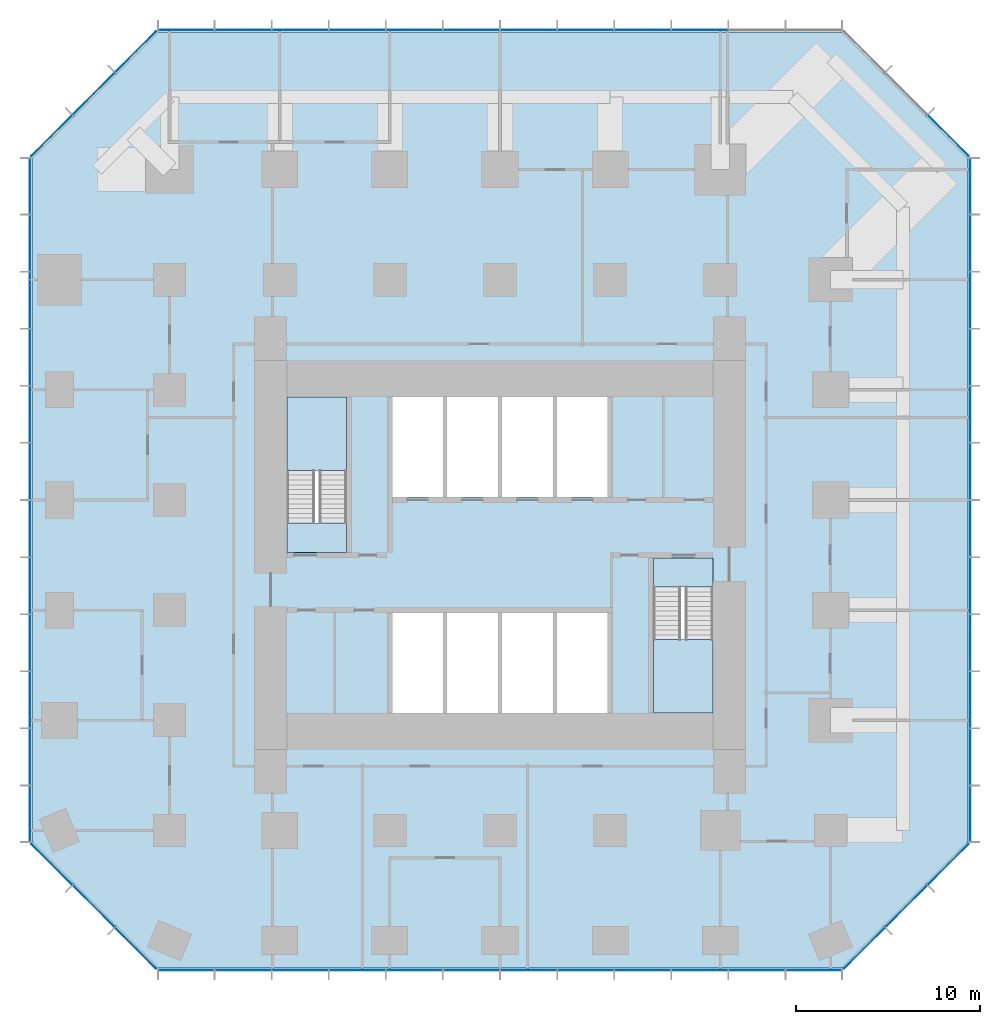
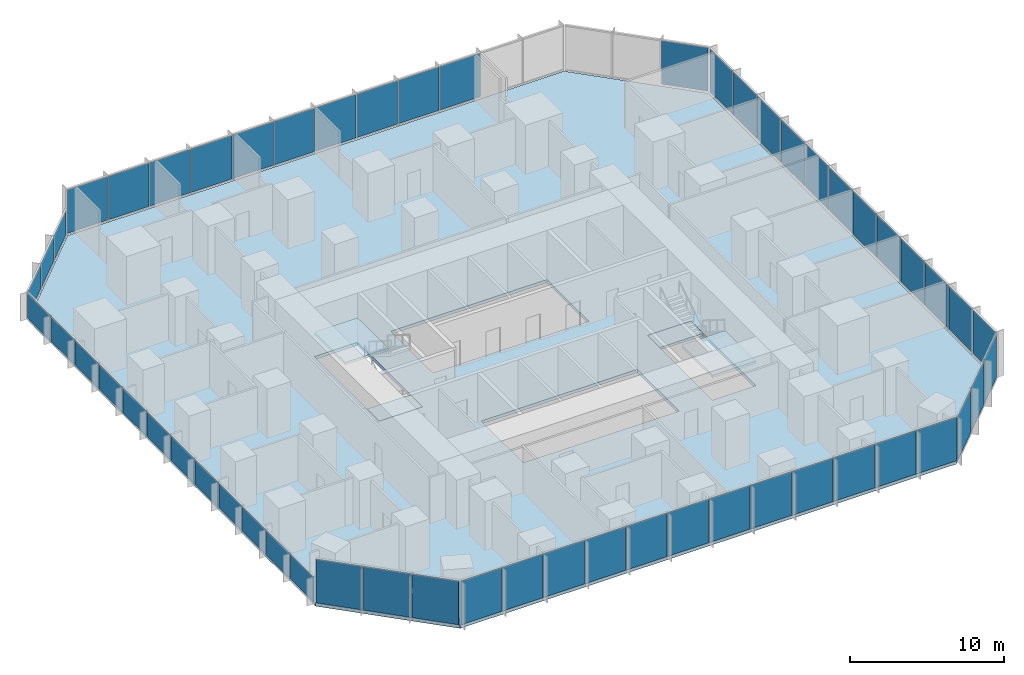
# One storey, part 8 of 13: 56 plates, 5 slabs, 10 elements without a shape of their own.
"""IFC4 building model written with IfcOpenShell, lengths in metres."""

import ifcopenshell
import ifcopenshell.guid

model = None  # the IFC model being written
_history = None  # IfcOwnerHistory: only IFC2X3 demands one
_inside = {}  # id of a spatial element -> (the spatial element, [elements in it])
_under = {}  # id of a project, library or spatial element -> (it, [spatial elements below it])
_declared = {}  # id of a project -> (the project, [libraries it declares])
_typed = {}  # id of a type object -> (the type object, [elements of that type])
_made_of = {}  # id of a material, layer set ... -> (it, [elements and type objects made of it])


def new_model(schema):
    """Start an empty IFC model of exactly this schema.

    Asked for "IFC4X3", IfcOpenShell would pick the latest addendum, in which some entities
    have other attributes; the version numbers below select the first issue.
    IFC2X3 requires an IfcOwnerHistory on every rooted entity: one is made here for all.
    """
    global model, _history
    if schema == "IFC4X3":
        model = ifcopenshell.file(schema_version=(4, 3, 0, 0))
    else:
        model = ifcopenshell.file(schema=schema)
    _inside.clear()
    _under.clear()
    _declared.clear()
    _typed.clear()
    _made_of.clear()
    _history = None
    if model.schema == "IFC2X3":
        org = make("IfcOrganization", Name="unknown")
        user = make(
            "IfcPersonAndOrganization",
            ThePerson=make("IfcPerson", FamilyName="unknown"),
            TheOrganization=org,
        )
        app = make(
            "IfcApplication",
            ApplicationDeveloper=org,
            Version="unknown",
            ApplicationFullName="unknown",
            ApplicationIdentifier="unknown",
        )
        _history = make(
            "IfcOwnerHistory",
            OwningUser=user,
            OwningApplication=app,
            ChangeAction="ADDED",
            CreationDate=0,
        )
    return model


def make(cls, **values):
    """One entity of the class cls with the attributes given. An attribute that is None is left unset."""
    return model.create_entity(
        cls, **{name: value for name, value in values.items() if value is not None}
    )


def rooted(cls, **values):
    """An entity with a GlobalId (a new one), such as an element, a storey or a relation."""
    return make(cls, GlobalId=ifcopenshell.guid.new(), OwnerHistory=_history, **values)


def si_unit(unit_type, name, prefix=None):
    """IfcSIUnit, for example si_unit("LENGTHUNIT", "METRE", prefix="MILLI")."""
    return make("IfcSIUnit", UnitType=unit_type, Prefix=prefix, Name=name)


def assignment(units):
    """IfcUnitAssignment: the units of a project."""
    return None if units is None else make("IfcUnitAssignment", Units=units)


def point(xyz):
    """IfcCartesianPoint."""
    return None if xyz is None else make("IfcCartesianPoint", Coordinates=xyz)


def direction(xyz):
    """IfcDirection."""
    return None if xyz is None else make("IfcDirection", DirectionRatios=xyz)


def frame(location, z_axis=None, x_axis=None):
    """IfcAxis2Placement3D, a coordinate frame: its origin and axes. An axis left out is left unset."""
    return make(
        "IfcAxis2Placement3D",
        Location=point(location),
        Axis=direction(z_axis),
        RefDirection=direction(x_axis),
    )


def frame_2d(location, x_axis=None):
    """IfcAxis2Placement2D, a coordinate frame in the plane: its origin and x axis."""
    return make(
        "IfcAxis2Placement2D", Location=point(location), RefDirection=direction(x_axis)
    )


def origin():
    """The frame at (0, 0, 0) with its axes left unset."""
    return frame((0.0, 0.0, 0.0))


def origin_2d():
    """The frame at (0, 0) in the plane with its x axis left unset."""
    return frame_2d((0.0, 0.0))


def place(relative_to, where):
    """IfcLocalPlacement: puts the frame where relative to a parent placement (None: the world)."""
    return make(
        "IfcLocalPlacement", PlacementRelTo=relative_to, RelativePlacement=where
    )


def context(
    kind, dimensions, precision=None, world=None, true_north=None, identifier=None
):
    """IfcGeometricRepresentationContext, for example the 3D "Model" context."""
    return make(
        "IfcGeometricRepresentationContext",
        ContextIdentifier=identifier,
        ContextType=kind,
        CoordinateSpaceDimension=dimensions,
        Precision=precision,
        WorldCoordinateSystem=world,
        TrueNorth=true_north,
    )


def subcontext(parent, identifier, kind, view, scale=None):
    """IfcGeometricRepresentationSubContext, for example "Body" below "Model"."""
    return make(
        "IfcGeometricRepresentationSubContext",
        ContextIdentifier=identifier,
        ContextType=kind,
        ParentContext=parent,
        TargetScale=scale,
        TargetView=view,
    )


def project(units=None, contexts=None):
    """IfcProject with its units and contexts."""
    return rooted(
        "IfcProject",
        Name="project",
        RepresentationContexts=contexts,
        UnitsInContext=assignment(units),
    )


def spatial(cls, under=None, at=None, **own):
    """A site, building, storey or space (cls), placed at a placement, below another one or the project."""
    s = rooted(cls, ObjectPlacement=at, **own)
    if under is not None:
        _under.setdefault(under.id(), (under, []))[1].append(s)
    return s


def polyline(points):
    """IfcPolyline through the points."""
    return make("IfcPolyline", Points=[point(p) for p in points])


def profile(cls, at=None, kind="AREA", **sizes):
    """A parametric profile (cls). Its sizes go by their IFC names, for example OverallWidth=200.0."""
    return make(cls, ProfileType=kind, Position=at, **sizes)


def rectangle(**sizes):
    """IfcRectangleProfileDef."""
    return profile("IfcRectangleProfileDef", **sizes)


def outline(outer, holes=None, kind="AREA"):
    """IfcArbitraryClosedProfileDef: a profile drawn as a closed curve; with holes, ...WithVoids."""
    if holes is None:
        return make("IfcArbitraryClosedProfileDef", ProfileType=kind, OuterCurve=outer)
    return make(
        "IfcArbitraryProfileDefWithVoids",
        ProfileType=kind,
        OuterCurve=outer,
        InnerCurves=holes,
    )


def extrude(swept, where, along, depth):
    """IfcExtrudedAreaSolid: the profile swept, set in the frame where, extruded along a direction by depth."""
    return make(
        "IfcExtrudedAreaSolid",
        SweptArea=swept,
        Position=where,
        ExtrudedDirection=direction(along),
        Depth=depth,
    )


def shape(context_of_items, identifier, shape_type, items):
    """IfcShapeRepresentation: the items that make up one representation, for example the "Body"."""
    return make(
        "IfcShapeRepresentation",
        ContextOfItems=context_of_items,
        RepresentationIdentifier=identifier,
        RepresentationType=shape_type,
        Items=items,
    )


def material(Name=None, Category=None):
    """IfcMaterial."""
    return make("IfcMaterial", Name=Name, Category=Category)


def layer(
    of_material, thickness, ventilated=None, Name=None, Category=None, Priority=None
):
    """IfcMaterialLayer: one layer of a wall or slab, of a material (None: an air gap)."""
    return make(
        "IfcMaterialLayer",
        Material=of_material,
        LayerThickness=thickness,
        IsVentilated=ventilated,
        Name=Name,
        Category=Category,
        Priority=Priority,
    )


def layer_set(layers, Name=None):
    """IfcMaterialLayerSet."""
    return make("IfcMaterialLayerSet", MaterialLayers=layers, LayerSetName=Name)


def made_of(thing, what):
    """Note that an element or type object is made of a material, layer set ...; save() writes the relation."""
    if what is not None:
        _made_of.setdefault(what.id(), (what, []))[1].append(thing)
    return thing


def type_object(cls, material=None, **own):
    """A type object (cls), such as IfcWallType, which elements share."""
    return made_of(rooted(cls, **own), material)


def element(
    cls,
    number,
    at=None,
    inside=None,
    cuts=None,
    type_object=None,
    material=None,
    context=None,
    identifier="Body",
    shape_type=None,
    held_by="IfcProductDefinitionShape",
    body=None,
    shapes=None,
    **own,
):
    """One element of the class cls, such as IfcWall. Its Tag is "e" and its number.

    at: its placement. inside: the storey or other place that contains it. cuts: it is an
    opening in that element (IfcRelVoidsElement). A single representation is given by context,
    identifier, shape_type and body (its items); several are given by shapes. held_by: the class
    of the entity that holds the representations. save() writes the other relations.
    """
    e = rooted(cls, Tag="e%d" % number, ObjectPlacement=at, **own)
    if body is not None:
        shapes = [shape(context, identifier, shape_type, body)]
    if shapes is not None:
        e.Representation = make(held_by, Representations=shapes)
    if inside is not None:
        _inside.setdefault(inside.id(), (inside, []))[1].append(e)
    if cuts is not None:
        rooted(
            "IfcRelVoidsElement", RelatingBuildingElement=cuts, RelatedOpeningElement=e
        )
    if type_object is not None:
        _typed.setdefault(type_object.id(), (type_object, []))[1].append(e)
    return made_of(e, material)


def aggregate(whole, parts):
    """IfcRelAggregates: a whole, such as a stair, and the parts it consists of."""
    return rooted("IfcRelAggregates", RelatingObject=whole, RelatedObjects=parts)


def save(model, path):
    """Write the relations noted so far, then the file.

    IfcRelAggregates (storeys below a building ...), IfcRelContainedInSpatialStructure (elements
    in a storey), IfcRelDefinesByType, IfcRelAssociatesMaterial and IfcRelDeclares: one each for
    every whole, place, type object, material and project.
    """
    for whole, parts in _under.values():
        aggregate(whole, parts)
    for where, things in _inside.values():
        rooted(
            "IfcRelContainedInSpatialStructure",
            RelatedElements=things,
            RelatingStructure=where,
        )
    for kind, things in _typed.values():
        rooted("IfcRelDefinesByType", RelatedObjects=things, RelatingType=kind)
    for what, things in _made_of.values():
        rooted("IfcRelAssociatesMaterial", RelatedObjects=things, RelatingMaterial=what)
    for by, libraries in _declared.values():
        rooted("IfcRelDeclares", RelatingContext=by, RelatedDefinitions=libraries)
    model.write(path)


model = new_model("IFC4")

# Units and contexts
model_context = context("Model", 3, precision=1e-05, world=origin(), true_north=direction((0.0, 1.0)))
body_context = subcontext(model_context, "Body", "Model", "MODEL_VIEW")
ifc_project = project(units=[si_unit("LENGTHUNIT", "METRE"), si_unit("AREAUNIT", "SQUARE_METRE"), si_unit("VOLUMEUNIT", "CUBIC_METRE"), si_unit("PLANEANGLEUNIT", "RADIAN"), si_unit("MASSUNIT", "GRAM", prefix="KILO")], contexts=[model_context])

# Site, building, storey
site_placement = place(None, origin())
site = spatial("IfcSite", under=ifc_project, at=site_placement, CompositionType="ELEMENT")
building_placement = place(site_placement, origin())
building = spatial("IfcBuilding", under=site, at=building_placement, Name="Highveld Stack Headquarters", CompositionType="ELEMENT")
storey_placement = place(building_placement, frame((0.0, 0.0, 84.5)))
storey = spatial("IfcBuildingStorey", under=building, at=storey_placement, Name="L20", CompositionType="ELEMENT", Elevation=84.5)

# Curtain wall, plates
ifc_material_1 = material(Name="Aluminium bronze anodised", Category="aluminium")
ifc_layer_1 = layer(ifc_material_1, 0.199951171875)
ifc_layer_set_1 = layer_set([ifc_layer_1], Name="Aluminium bronze anodised")
curtain_wall_type_1 = type_object("IfcCurtainWallType", Name="CW1 TOWER UNITISED CURTAIN WALL", PredefinedType="NOTDEFINED", material=ifc_layer_set_1)
curtain_wall_1_placement = place(storey_placement, origin())
curtain_wall_1 = element("IfcCurtainWall", 1, at=curtain_wall_1_placement, inside=storey, type_object=curtain_wall_type_1, Name="Curtain wall CW1 L20 S", PredefinedType="NOTDEFINED")
ifc_material_2 = material(Name="Glass bronze tinted double glazed unit", Category="glass")
ifc_layer_2 = layer(ifc_material_2, 0.028076171875)
ifc_layer_set_2 = layer_set([ifc_layer_2], Name="Glass bronze tinted double glazed unit")
plate_type_1 = type_object("IfcPlateType", Name="CW1 PANEL BRONZE TINTED DOUBLE GLAZED UNIT", PredefinedType="CURTAIN_PANEL", material=ifc_layer_set_2)
plate_1_placement = place(storey_placement, frame((-11.09130859375, -19.60009765625, 0.10009765625), z_axis=(0.0, 0.0, 1.0), x_axis=(1.0, 0.0, 0.0)))
plate_1 = element("IfcPlate", 2, at=plate_1_placement, type_object=plate_type_1, Name="CW1 panel L20 1.1", PredefinedType="CURTAIN_PANEL", context=body_context, shape_type="SweptSolid", body=[
    extrude(rectangle(XDim=3.012939453125, YDim=0.028076171875, at=origin_2d()), origin(), (0.0, 0.0, 1.0), 3.449951171875),
])
plate_2_placement = place(storey_placement, frame((-7.9970703125, -19.60009765625, 0.10009765625), z_axis=(0.0, 0.0, 1.0), x_axis=(1.0, 0.0, 0.0)))
plate_2 = element("IfcPlate", 3, at=plate_2_placement, type_object=plate_type_1, Name="CW1 panel L20 2.1", PredefinedType="CURTAIN_PANEL", context=body_context, shape_type="SweptSolid", body=[
    extrude(rectangle(XDim=3.04541015625, YDim=0.028076171875, at=origin_2d()), origin(), (0.0, 0.0, 1.0), 3.449951171875),
])
plate_3_placement = place(storey_placement, frame((-4.88671875, -19.60009765625, 0.10009765625), z_axis=(0.0, 0.0, 1.0), x_axis=(1.0, 0.0, 0.0)))
plate_3 = element("IfcPlate", 4, at=plate_3_placement, type_object=plate_type_1, Name="CW1 panel L20 3.1", PredefinedType="CURTAIN_PANEL", context=body_context, shape_type="SweptSolid", body=[
    extrude(rectangle(XDim=3.04541015625, YDim=0.028076171875, at=origin_2d()), origin(), (0.0, 0.0, 1.0), 3.449951171875),
])
plate_4_placement = place(storey_placement, frame((-1.776123046875, -19.60009765625, 0.10009765625), z_axis=(0.0, 0.0, 1.0), x_axis=(1.0, 0.0, 0.0)))
plate_4 = element("IfcPlate", 5, at=plate_4_placement, type_object=plate_type_1, Name="CW1 panel L20 4.1", PredefinedType="CURTAIN_PANEL", context=body_context, shape_type="SweptSolid", body=[
    extrude(rectangle(XDim=3.04541015625, YDim=0.028076171875, at=origin_2d()), origin(), (0.0, 0.0, 1.0), 3.449951171875),
])
plate_5_placement = place(storey_placement, frame((1.334228515625, -19.60009765625, 0.10009765625), z_axis=(0.0, 0.0, 1.0), x_axis=(1.0, 0.0, 0.0)))
plate_5 = element("IfcPlate", 6, at=plate_5_placement, type_object=plate_type_1, Name="CW1 panel L20 5.1", PredefinedType="CURTAIN_PANEL", context=body_context, shape_type="SweptSolid", body=[
    extrude(rectangle(XDim=3.04541015625, YDim=0.028076171875, at=origin_2d()), origin(), (0.0, 0.0, 1.0), 3.449951171875),
])
plate_6_placement = place(storey_placement, frame((4.44482421875, -19.60009765625, 0.10009765625), z_axis=(0.0, 0.0, 1.0), x_axis=(1.0, 0.0, 0.0)))
plate_6 = element("IfcPlate", 7, at=plate_6_placement, type_object=plate_type_1, Name="CW1 panel L20 6.1", PredefinedType="CURTAIN_PANEL", context=body_context, shape_type="SweptSolid", body=[
    extrude(rectangle(XDim=3.04541015625, YDim=0.028076171875, at=origin_2d()), origin(), (0.0, 0.0, 1.0), 3.449951171875),
])
plate_7_placement = place(storey_placement, frame((7.55517578125, -19.60009765625, 0.10009765625), z_axis=(0.0, 0.0, 1.0), x_axis=(1.0, 0.0, 0.0)))
plate_7 = element("IfcPlate", 8, at=plate_7_placement, type_object=plate_type_1, Name="CW1 panel L20 7.1", PredefinedType="CURTAIN_PANEL", context=body_context, shape_type="SweptSolid", body=[
    extrude(rectangle(XDim=3.04541015625, YDim=0.028076171875, at=origin_2d()), origin(), (0.0, 0.0, 1.0), 3.449951171875),
])
plate_8_placement = place(storey_placement, frame((10.665771484375, -19.60009765625, 0.10009765625), z_axis=(0.0, 0.0, 1.0), x_axis=(1.0, 0.0, 0.0)))
plate_8 = element("IfcPlate", 9, at=plate_8_placement, type_object=plate_type_1, Name="CW1 panel L20 8.1", PredefinedType="CURTAIN_PANEL", context=body_context, shape_type="SweptSolid", body=[
    extrude(rectangle(XDim=3.04541015625, YDim=0.028076171875, at=origin_2d()), origin(), (0.0, 0.0, 1.0), 3.449951171875),
])
plate_9_placement = place(storey_placement, frame((13.776123046875, -19.60009765625, 0.10009765625), z_axis=(0.0, 0.0, 1.0), x_axis=(1.0, 0.0, 0.0)))
plate_9 = element("IfcPlate", 10, at=plate_9_placement, type_object=plate_type_1, Name="CW1 panel L20 9.1", PredefinedType="CURTAIN_PANEL", context=body_context, shape_type="SweptSolid", body=[
    extrude(rectangle(XDim=3.04541015625, YDim=0.028076171875, at=origin_2d()), origin(), (0.0, 0.0, 1.0), 3.449951171875),
])
plate_10_placement = place(storey_placement, frame((16.88671875, -19.60009765625, 0.10009765625), z_axis=(0.0, 0.0, 1.0), x_axis=(1.0, 0.0, 0.0)))
plate_10 = element("IfcPlate", 11, at=plate_10_placement, type_object=plate_type_1, Name="CW1 panel L20 10.1", PredefinedType="CURTAIN_PANEL", context=body_context, shape_type="SweptSolid", body=[
    extrude(rectangle(XDim=3.04541015625, YDim=0.028076171875, at=origin_2d()), origin(), (0.0, 0.0, 1.0), 3.449951171875),
])
plate_11_placement = place(storey_placement, frame((19.9970703125, -19.60009765625, 0.10009765625), z_axis=(0.0, 0.0, 1.0), x_axis=(1.0, 0.0, 0.0)))
plate_11 = element("IfcPlate", 12, at=plate_11_placement, type_object=plate_type_1, Name="CW1 panel L20 11.1", PredefinedType="CURTAIN_PANEL", context=body_context, shape_type="SweptSolid", body=[
    extrude(rectangle(XDim=3.04541015625, YDim=0.028076171875, at=origin_2d()), origin(), (0.0, 0.0, 1.0), 3.449951171875),
])
plate_12_placement = place(storey_placement, frame((23.09130859375, -19.60009765625, 0.10009765625), z_axis=(0.0, 0.0, 1.0), x_axis=(1.0, 0.0, 0.0)))
plate_12 = element("IfcPlate", 13, at=plate_12_placement, type_object=plate_type_1, Name="CW1 panel L20 12.1", PredefinedType="CURTAIN_PANEL", context=body_context, shape_type="SweptSolid", body=[
    extrude(rectangle(XDim=3.012939453125, YDim=0.028076171875, at=origin_2d()), origin(), (0.0, 0.0, 1.0), 3.449951171875),
])
aggregate(curtain_wall_1, [plate_1, plate_2, plate_3, plate_4, plate_5, plate_6, plate_7, plate_8, plate_9, plate_10, plate_11, plate_12])

curtain_wall_2_placement = place(storey_placement, origin())
curtain_wall_2 = element("IfcCurtainWall", 14, at=curtain_wall_2_placement, inside=storey, type_object=curtain_wall_type_1, Name="Curtain wall CW1 L20 E", PredefinedType="NOTDEFINED")
plate_13_placement = place(storey_placement, frame((31.60009765625, -11.09130859375, 0.10009765625), z_axis=(0.0, 0.0, 1.0), x_axis=(0.0, 1.0, 0.0)))
plate_13 = element("IfcPlate", 15, at=plate_13_placement, type_object=plate_type_1, Name="CW1 panel L20 1.1", PredefinedType="CURTAIN_PANEL", context=body_context, shape_type="SweptSolid", body=[
    extrude(rectangle(XDim=3.012939453125, YDim=0.028076171875, at=origin_2d()), origin(), (0.0, 0.0, 1.0), 3.449951171875),
])
plate_14_placement = place(storey_placement, frame((31.60009765625, -7.9970703125, 0.10009765625), z_axis=(0.0, 0.0, 1.0), x_axis=(0.0, 1.0, 0.0)))
plate_14 = element("IfcPlate", 16, at=plate_14_placement, type_object=plate_type_1, Name="CW1 panel L20 2.1", PredefinedType="CURTAIN_PANEL", context=body_context, shape_type="SweptSolid", body=[
    extrude(rectangle(XDim=3.04541015625, YDim=0.028076171875, at=origin_2d()), origin(), (0.0, 0.0, 1.0), 3.449951171875),
])
plate_15_placement = place(storey_placement, frame((31.60009765625, -4.88671875, 0.10009765625), z_axis=(0.0, 0.0, 1.0), x_axis=(0.0, 1.0, 0.0)))
plate_15 = element("IfcPlate", 17, at=plate_15_placement, type_object=plate_type_1, Name="CW1 panel L20 3.1", PredefinedType="CURTAIN_PANEL", context=body_context, shape_type="SweptSolid", body=[
    extrude(rectangle(XDim=3.04541015625, YDim=0.028076171875, at=origin_2d()), origin(), (0.0, 0.0, 1.0), 3.449951171875),
])
plate_16_placement = place(storey_placement, frame((31.60009765625, -1.776123046875, 0.10009765625), z_axis=(0.0, 0.0, 1.0), x_axis=(0.0, 1.0, 0.0)))
plate_16 = element("IfcPlate", 18, at=plate_16_placement, type_object=plate_type_1, Name="CW1 panel L20 4.1", PredefinedType="CURTAIN_PANEL", context=body_context, shape_type="SweptSolid", body=[
    extrude(rectangle(XDim=3.04541015625, YDim=0.028076171875, at=origin_2d()), origin(), (0.0, 0.0, 1.0), 3.449951171875),
])
plate_17_placement = place(storey_placement, frame((31.60009765625, 1.334228515625, 0.10009765625), z_axis=(0.0, 0.0, 1.0), x_axis=(0.0, 1.0, 0.0)))
plate_17 = element("IfcPlate", 19, at=plate_17_placement, type_object=plate_type_1, Name="CW1 panel L20 5.1", PredefinedType="CURTAIN_PANEL", context=body_context, shape_type="SweptSolid", body=[
    extrude(rectangle(XDim=3.04541015625, YDim=0.028076171875, at=origin_2d()), origin(), (0.0, 0.0, 1.0), 3.449951171875),
])
plate_18_placement = place(storey_placement, frame((31.60009765625, 4.44482421875, 0.10009765625), z_axis=(0.0, 0.0, 1.0), x_axis=(0.0, 1.0, 0.0)))
plate_18 = element("IfcPlate", 20, at=plate_18_placement, type_object=plate_type_1, Name="CW1 panel L20 6.1", PredefinedType="CURTAIN_PANEL", context=body_context, shape_type="SweptSolid", body=[
    extrude(rectangle(XDim=3.04541015625, YDim=0.028076171875, at=origin_2d()), origin(), (0.0, 0.0, 1.0), 3.449951171875),
])
plate_19_placement = place(storey_placement, frame((31.60009765625, 7.55517578125, 0.10009765625), z_axis=(0.0, 0.0, 1.0), x_axis=(0.0, 1.0, 0.0)))
plate_19 = element("IfcPlate", 21, at=plate_19_placement, type_object=plate_type_1, Name="CW1 panel L20 7.1", PredefinedType="CURTAIN_PANEL", context=body_context, shape_type="SweptSolid", body=[
    extrude(rectangle(XDim=3.04541015625, YDim=0.028076171875, at=origin_2d()), origin(), (0.0, 0.0, 1.0), 3.449951171875),
])
plate_20_placement = place(storey_placement, frame((31.60009765625, 10.665771484375, 0.10009765625), z_axis=(0.0, 0.0, 1.0), x_axis=(0.0, 1.0, 0.0)))
plate_20 = element("IfcPlate", 22, at=plate_20_placement, type_object=plate_type_1, Name="CW1 panel L20 8.1", PredefinedType="CURTAIN_PANEL", context=body_context, shape_type="SweptSolid", body=[
    extrude(rectangle(XDim=3.04541015625, YDim=0.028076171875, at=origin_2d()), origin(), (0.0, 0.0, 1.0), 3.449951171875),
])
plate_21_placement = place(storey_placement, frame((31.60009765625, 13.776123046875, 0.10009765625), z_axis=(0.0, 0.0, 1.0), x_axis=(0.0, 1.0, 0.0)))
plate_21 = element("IfcPlate", 23, at=plate_21_placement, type_object=plate_type_1, Name="CW1 panel L20 9.1", PredefinedType="CURTAIN_PANEL", context=body_context, shape_type="SweptSolid", body=[
    extrude(rectangle(XDim=3.04541015625, YDim=0.028076171875, at=origin_2d()), origin(), (0.0, 0.0, 1.0), 3.449951171875),
])
plate_22_placement = place(storey_placement, frame((31.60009765625, 16.88671875, 0.10009765625), z_axis=(0.0, 0.0, 1.0), x_axis=(0.0, 1.0, 0.0)))
plate_22 = element("IfcPlate", 24, at=plate_22_placement, type_object=plate_type_1, Name="CW1 panel L20 10.1", PredefinedType="CURTAIN_PANEL", context=body_context, shape_type="SweptSolid", body=[
    extrude(rectangle(XDim=3.04541015625, YDim=0.028076171875, at=origin_2d()), origin(), (0.0, 0.0, 1.0), 3.449951171875),
])
plate_23_placement = place(storey_placement, frame((31.60009765625, 19.9970703125, 0.10009765625), z_axis=(0.0, 0.0, 1.0), x_axis=(0.0, 1.0, 0.0)))
plate_23 = element("IfcPlate", 25, at=plate_23_placement, type_object=plate_type_1, Name="CW1 panel L20 11.1", PredefinedType="CURTAIN_PANEL", context=body_context, shape_type="SweptSolid", body=[
    extrude(rectangle(XDim=3.04541015625, YDim=0.028076171875, at=origin_2d()), origin(), (0.0, 0.0, 1.0), 3.449951171875),
])
plate_24_placement = place(storey_placement, frame((31.60009765625, 23.09130859375, 0.10009765625), z_axis=(0.0, 0.0, 1.0), x_axis=(0.0, 1.0, 0.0)))
plate_24 = element("IfcPlate", 26, at=plate_24_placement, type_object=plate_type_1, Name="CW1 panel L20 12.1", PredefinedType="CURTAIN_PANEL", context=body_context, shape_type="SweptSolid", body=[
    extrude(rectangle(XDim=3.012939453125, YDim=0.028076171875, at=origin_2d()), origin(), (0.0, 0.0, 1.0), 3.449951171875),
])
aggregate(curtain_wall_2, [plate_13, plate_14, plate_15, plate_16, plate_17, plate_18, plate_19, plate_20, plate_21, plate_22, plate_23, plate_24])

curtain_wall_3_placement = place(storey_placement, origin())
curtain_wall_3 = element("IfcCurtainWall", 27, at=curtain_wall_3_placement, inside=storey, type_object=curtain_wall_type_1, Name="Curtain wall CW1 L20 N", PredefinedType="NOTDEFINED")
plate_25_placement = place(storey_placement, frame((16.88671875, 31.60009765625, 0.10009765625), z_axis=(0.0, 0.0, 1.0), x_axis=(-1.0, 0.0, 0.0)))
plate_25 = element("IfcPlate", 28, at=plate_25_placement, type_object=plate_type_1, Name="CW1 panel L20 3.1", PredefinedType="CURTAIN_PANEL", context=body_context, shape_type="SweptSolid", body=[
    extrude(rectangle(XDim=3.04541015625, YDim=0.028076171875, at=origin_2d()), origin(), (0.0, 0.0, 1.0), 3.449951171875),
])
plate_26_placement = place(storey_placement, frame((13.776123046875, 31.60009765625, 0.10009765625), z_axis=(0.0, 0.0, 1.0), x_axis=(-1.0, 0.0, 0.0)))
plate_26 = element("IfcPlate", 29, at=plate_26_placement, type_object=plate_type_1, Name="CW1 panel L20 4.1", PredefinedType="CURTAIN_PANEL", context=body_context, shape_type="SweptSolid", body=[
    extrude(rectangle(XDim=3.04541015625, YDim=0.028076171875, at=origin_2d()), origin(), (0.0, 0.0, 1.0), 3.449951171875),
])
plate_27_placement = place(storey_placement, frame((10.665771484375, 31.60009765625, 0.10009765625), z_axis=(0.0, 0.0, 1.0), x_axis=(-1.0, 0.0, 0.0)))
plate_27 = element("IfcPlate", 30, at=plate_27_placement, type_object=plate_type_1, Name="CW1 panel L20 5.1", PredefinedType="CURTAIN_PANEL", context=body_context, shape_type="SweptSolid", body=[
    extrude(rectangle(XDim=3.04541015625, YDim=0.028076171875, at=origin_2d()), origin(), (0.0, 0.0, 1.0), 3.449951171875),
])
plate_28_placement = place(storey_placement, frame((7.55517578125, 31.60009765625, 0.10009765625), z_axis=(0.0, 0.0, 1.0), x_axis=(-1.0, 0.0, 0.0)))
plate_28 = element("IfcPlate", 31, at=plate_28_placement, type_object=plate_type_1, Name="CW1 panel L20 6.1", PredefinedType="CURTAIN_PANEL", context=body_context, shape_type="SweptSolid", body=[
    extrude(rectangle(XDim=3.04541015625, YDim=0.028076171875, at=origin_2d()), origin(), (0.0, 0.0, 1.0), 3.449951171875),
])
plate_29_placement = place(storey_placement, frame((4.44482421875, 31.60009765625, 0.10009765625), z_axis=(0.0, 0.0, 1.0), x_axis=(-1.0, 0.0, 0.0)))
plate_29 = element("IfcPlate", 32, at=plate_29_placement, type_object=plate_type_1, Name="CW1 panel L20 7.1", PredefinedType="CURTAIN_PANEL", context=body_context, shape_type="SweptSolid", body=[
    extrude(rectangle(XDim=3.04541015625, YDim=0.028076171875, at=origin_2d()), origin(), (0.0, 0.0, 1.0), 3.449951171875),
])
plate_30_placement = place(storey_placement, frame((1.334228515625, 31.60009765625, 0.10009765625), z_axis=(0.0, 0.0, 1.0), x_axis=(-1.0, 0.0, 0.0)))
plate_30 = element("IfcPlate", 33, at=plate_30_placement, type_object=plate_type_1, Name="CW1 panel L20 8.1", PredefinedType="CURTAIN_PANEL", context=body_context, shape_type="SweptSolid", body=[
    extrude(rectangle(XDim=3.04541015625, YDim=0.028076171875, at=origin_2d()), origin(), (0.0, 0.0, 1.0), 3.449951171875),
])
plate_31_placement = place(storey_placement, frame((-1.776123046875, 31.60009765625, 0.10009765625), z_axis=(0.0, 0.0, 1.0), x_axis=(-1.0, 0.0, 0.0)))
plate_31 = element("IfcPlate", 34, at=plate_31_placement, type_object=plate_type_1, Name="CW1 panel L20 9.1", PredefinedType="CURTAIN_PANEL", context=body_context, shape_type="SweptSolid", body=[
    extrude(rectangle(XDim=3.04541015625, YDim=0.028076171875, at=origin_2d()), origin(), (0.0, 0.0, 1.0), 3.449951171875),
])
plate_32_placement = place(storey_placement, frame((-4.88671875, 31.60009765625, 0.10009765625), z_axis=(0.0, 0.0, 1.0), x_axis=(-1.0, 0.0, 0.0)))
plate_32 = element("IfcPlate", 35, at=plate_32_placement, type_object=plate_type_1, Name="CW1 panel L20 10.1", PredefinedType="CURTAIN_PANEL", context=body_context, shape_type="SweptSolid", body=[
    extrude(rectangle(XDim=3.04541015625, YDim=0.028076171875, at=origin_2d()), origin(), (0.0, 0.0, 1.0), 3.449951171875),
])
plate_33_placement = place(storey_placement, frame((-7.9970703125, 31.60009765625, 0.10009765625), z_axis=(0.0, 0.0, 1.0), x_axis=(-1.0, 0.0, 0.0)))
plate_33 = element("IfcPlate", 36, at=plate_33_placement, type_object=plate_type_1, Name="CW1 panel L20 11.1", PredefinedType="CURTAIN_PANEL", context=body_context, shape_type="SweptSolid", body=[
    extrude(rectangle(XDim=3.04541015625, YDim=0.028076171875, at=origin_2d()), origin(), (0.0, 0.0, 1.0), 3.449951171875),
])
plate_34_placement = place(storey_placement, frame((-11.09130859375, 31.60009765625, 0.10009765625), z_axis=(0.0, 0.0, 1.0), x_axis=(-1.0, 0.0, 0.0)))
plate_34 = element("IfcPlate", 37, at=plate_34_placement, type_object=plate_type_1, Name="CW1 panel L20 12.1", PredefinedType="CURTAIN_PANEL", context=body_context, shape_type="SweptSolid", body=[
    extrude(rectangle(XDim=3.012939453125, YDim=0.028076171875, at=origin_2d()), origin(), (0.0, 0.0, 1.0), 3.449951171875),
])
aggregate(curtain_wall_3, [plate_25, plate_26, plate_27, plate_28, plate_29, plate_30, plate_31, plate_32, plate_33, plate_34])

curtain_wall_4_placement = place(storey_placement, origin())
curtain_wall_4 = element("IfcCurtainWall", 38, at=curtain_wall_4_placement, inside=storey, type_object=curtain_wall_type_1, Name="Curtain wall CW1 L20 W", PredefinedType="NOTDEFINED")
plate_35_placement = place(storey_placement, frame((-19.60009765625, 23.09130859375, 0.10009765625), z_axis=(0.0, 0.0, 1.0), x_axis=(0.0, -1.0, 0.0)))
plate_35 = element("IfcPlate", 39, at=plate_35_placement, type_object=plate_type_1, Name="CW1 panel L20 1.1", PredefinedType="CURTAIN_PANEL", context=body_context, shape_type="SweptSolid", body=[
    extrude(rectangle(XDim=3.012939453125, YDim=0.028076171875, at=origin_2d()), origin(), (0.0, 0.0, 1.0), 1.949951171875),
])
plate_36_placement = place(storey_placement, frame((-19.60009765625, 19.9970703125, 0.10009765625), z_axis=(0.0, 0.0, 1.0), x_axis=(0.0, -1.0, 0.0)))
plate_36 = element("IfcPlate", 40, at=plate_36_placement, type_object=plate_type_1, Name="CW1 panel L20 2.1", PredefinedType="CURTAIN_PANEL", context=body_context, shape_type="SweptSolid", body=[
    extrude(rectangle(XDim=3.04541015625, YDim=0.028076171875, at=origin_2d()), origin(), (0.0, 0.0, 1.0), 1.949951171875),
])
plate_37_placement = place(storey_placement, frame((-19.60009765625, 16.88671875, 0.10009765625), z_axis=(0.0, 0.0, 1.0), x_axis=(0.0, -1.0, 0.0)))
plate_37 = element("IfcPlate", 41, at=plate_37_placement, type_object=plate_type_1, Name="CW1 panel L20 3.1", PredefinedType="CURTAIN_PANEL", context=body_context, shape_type="SweptSolid", body=[
    extrude(rectangle(XDim=3.04541015625, YDim=0.028076171875, at=origin_2d()), origin(), (0.0, 0.0, 1.0), 1.949951171875),
])
plate_38_placement = place(storey_placement, frame((-19.60009765625, 13.776123046875, 0.10009765625), z_axis=(0.0, 0.0, 1.0), x_axis=(0.0, -1.0, 0.0)))
plate_38 = element("IfcPlate", 42, at=plate_38_placement, type_object=plate_type_1, Name="CW1 panel L20 4.1", PredefinedType="CURTAIN_PANEL", context=body_context, shape_type="SweptSolid", body=[
    extrude(rectangle(XDim=3.04541015625, YDim=0.028076171875, at=origin_2d()), origin(), (0.0, 0.0, 1.0), 1.949951171875),
])
plate_39_placement = place(storey_placement, frame((-19.60009765625, 10.665771484375, 0.10009765625), z_axis=(0.0, 0.0, 1.0), x_axis=(0.0, -1.0, 0.0)))
plate_39 = element("IfcPlate", 43, at=plate_39_placement, type_object=plate_type_1, Name="CW1 panel L20 5.1", PredefinedType="CURTAIN_PANEL", context=body_context, shape_type="SweptSolid", body=[
    extrude(rectangle(XDim=3.04541015625, YDim=0.028076171875, at=origin_2d()), origin(), (0.0, 0.0, 1.0), 1.949951171875),
])
plate_40_placement = place(storey_placement, frame((-19.60009765625, 7.55517578125, 0.10009765625), z_axis=(0.0, 0.0, 1.0), x_axis=(0.0, -1.0, 0.0)))
plate_40 = element("IfcPlate", 44, at=plate_40_placement, type_object=plate_type_1, Name="CW1 panel L20 6.1", PredefinedType="CURTAIN_PANEL", context=body_context, shape_type="SweptSolid", body=[
    extrude(rectangle(XDim=3.04541015625, YDim=0.028076171875, at=origin_2d()), origin(), (0.0, 0.0, 1.0), 1.949951171875),
])
plate_41_placement = place(storey_placement, frame((-19.60009765625, 4.44482421875, 0.10009765625), z_axis=(0.0, 0.0, 1.0), x_axis=(0.0, -1.0, 0.0)))
plate_41 = element("IfcPlate", 45, at=plate_41_placement, type_object=plate_type_1, Name="CW1 panel L20 7.1", PredefinedType="CURTAIN_PANEL", context=body_context, shape_type="SweptSolid", body=[
    extrude(rectangle(XDim=3.04541015625, YDim=0.028076171875, at=origin_2d()), origin(), (0.0, 0.0, 1.0), 1.949951171875),
])
plate_42_placement = place(storey_placement, frame((-19.60009765625, 1.334228515625, 0.10009765625), z_axis=(0.0, 0.0, 1.0), x_axis=(0.0, -1.0, 0.0)))
plate_42 = element("IfcPlate", 46, at=plate_42_placement, type_object=plate_type_1, Name="CW1 panel L20 8.1", PredefinedType="CURTAIN_PANEL", context=body_context, shape_type="SweptSolid", body=[
    extrude(rectangle(XDim=3.04541015625, YDim=0.028076171875, at=origin_2d()), origin(), (0.0, 0.0, 1.0), 1.949951171875),
])
plate_43_placement = place(storey_placement, frame((-19.60009765625, -1.776123046875, 0.10009765625), z_axis=(0.0, 0.0, 1.0), x_axis=(0.0, -1.0, 0.0)))
plate_43 = element("IfcPlate", 47, at=plate_43_placement, type_object=plate_type_1, Name="CW1 panel L20 9.1", PredefinedType="CURTAIN_PANEL", context=body_context, shape_type="SweptSolid", body=[
    extrude(rectangle(XDim=3.04541015625, YDim=0.028076171875, at=origin_2d()), origin(), (0.0, 0.0, 1.0), 1.949951171875),
])
plate_44_placement = place(storey_placement, frame((-19.60009765625, -4.88671875, 0.10009765625), z_axis=(0.0, 0.0, 1.0), x_axis=(0.0, -1.0, 0.0)))
plate_44 = element("IfcPlate", 48, at=plate_44_placement, type_object=plate_type_1, Name="CW1 panel L20 10.1", PredefinedType="CURTAIN_PANEL", context=body_context, shape_type="SweptSolid", body=[
    extrude(rectangle(XDim=3.04541015625, YDim=0.028076171875, at=origin_2d()), origin(), (0.0, 0.0, 1.0), 1.949951171875),
])
plate_45_placement = place(storey_placement, frame((-19.60009765625, -7.9970703125, 0.10009765625), z_axis=(0.0, 0.0, 1.0), x_axis=(0.0, -1.0, 0.0)))
plate_45 = element("IfcPlate", 49, at=plate_45_placement, type_object=plate_type_1, Name="CW1 panel L20 11.1", PredefinedType="CURTAIN_PANEL", context=body_context, shape_type="SweptSolid", body=[
    extrude(rectangle(XDim=3.04541015625, YDim=0.028076171875, at=origin_2d()), origin(), (0.0, 0.0, 1.0), 1.949951171875),
])
plate_46_placement = place(storey_placement, frame((-19.60009765625, -11.09130859375, 0.10009765625), z_axis=(0.0, 0.0, 1.0), x_axis=(0.0, -1.0, 0.0)))
plate_46 = element("IfcPlate", 50, at=plate_46_placement, type_object=plate_type_1, Name="CW1 panel L20 12.1", PredefinedType="CURTAIN_PANEL", context=body_context, shape_type="SweptSolid", body=[
    extrude(rectangle(XDim=3.012939453125, YDim=0.028076171875, at=origin_2d()), origin(), (0.0, 0.0, 1.0), 1.949951171875),
])
aggregate(curtain_wall_4, [plate_35, plate_36, plate_37, plate_38, plate_39, plate_40, plate_41, plate_42, plate_43, plate_44, plate_45, plate_46])

ifc_material_3 = material(Name="Aluminium bronze anodised", Category="aluminium")
ifc_layer_3 = layer(ifc_material_3, 0.199951171875)
ifc_layer_set_3 = layer_set([ifc_layer_3], Name="Aluminium bronze anodised")
curtain_wall_type_2 = type_object("IfcCurtainWallType", Name="CW2 TOWER CHAMFER UNITISED CURTAIN WALL", PredefinedType="NOTDEFINED", material=ifc_layer_set_3)
curtain_wall_5_placement = place(storey_placement, origin())
curtain_wall_5 = element("IfcCurtainWall", 51, at=curtain_wall_5_placement, inside=storey, type_object=curtain_wall_type_2, Name="Curtain wall CW2 L20 SE", PredefinedType="NOTDEFINED")
ifc_material_4 = material(Name="Glass bronze tinted double glazed unit", Category="glass")
ifc_layer_4 = layer(ifc_material_4, 0.028076171875)
ifc_layer_set_4 = layer_set([ifc_layer_4], Name="Glass bronze tinted double glazed unit")
plate_type_2 = type_object("IfcPlateType", Name="CW2 PANEL BRONZE TINTED DOUBLE GLAZED UNIT", PredefinedType="CURTAIN_PANEL", material=ifc_layer_set_4)
plate_47_placement = place(storey_placement, frame((25.8427734375, -18.419921875, 0.10009765625), z_axis=(0.0, 0.0, 1.0), x_axis=(0.707106781187, 0.707106781187, 0.0)))
plate_47 = element("IfcPlate", 52, at=plate_47_placement, type_object=plate_type_2, Name="CW2 panel L20 1.1", PredefinedType="CURTAIN_PANEL", context=body_context, shape_type="SweptSolid", body=[
    extrude(rectangle(XDim=3.1376953125, YDim=0.028076171875, at=origin_2d()), origin(), (0.0, 0.0, 1.0), 3.449951171875),
])
plate_48_placement = place(storey_placement, frame((28.13134765625, -16.13134765625, 0.10009765625), z_axis=(0.0, 0.0, 1.0), x_axis=(0.707106781187, 0.707106781187, 0.0)))
plate_48 = element("IfcPlate", 53, at=plate_48_placement, type_object=plate_type_2, Name="CW2 panel L20 2.1", PredefinedType="CURTAIN_PANEL", context=body_context, shape_type="SweptSolid", body=[
    extrude(rectangle(XDim=3.205322265625, YDim=0.028076171875, at=origin_2d()), origin(), (0.0, 0.0, 1.0), 3.449951171875),
])
plate_49_placement = place(storey_placement, frame((30.419921875, -13.8427734375, 0.10009765625), z_axis=(0.0, 0.0, 1.0), x_axis=(0.707106781187, 0.707106781187, 0.0)))
plate_49 = element("IfcPlate", 54, at=plate_49_placement, type_object=plate_type_2, Name="CW2 panel L20 3.1", PredefinedType="CURTAIN_PANEL", context=body_context, shape_type="SweptSolid", body=[
    extrude(rectangle(XDim=3.1376953125, YDim=0.028076171875, at=origin_2d()), origin(), (0.0, 0.0, 1.0), 3.449951171875),
])
aggregate(curtain_wall_5, [plate_47, plate_48, plate_49])

# Curtain wall, plate
curtain_wall_6_placement = place(storey_placement, origin())
curtain_wall_6 = element("IfcCurtainWall", 55, at=curtain_wall_6_placement, inside=storey, type_object=curtain_wall_type_2, Name="Curtain wall CW2 L20 NE", PredefinedType="NOTDEFINED")
plate_50_placement = place(storey_placement, frame((30.419921875, 25.8427734375, 0.10009765625), z_axis=(0.0, 0.0, 1.0), x_axis=(-0.707106781187, 0.707106781187, 0.0)))
plate_50 = element("IfcPlate", 56, at=plate_50_placement, type_object=plate_type_2, Name="CW2 panel L20 1.1", PredefinedType="CURTAIN_PANEL", context=body_context, shape_type="SweptSolid", body=[
    extrude(rectangle(XDim=3.1376953125, YDim=0.028076171875, at=origin_2d()), origin(), (0.0, 0.0, 1.0), 3.449951171875),
])
aggregate(curtain_wall_6, [plate_50])

# Curtain wall, plates
curtain_wall_7_placement = place(storey_placement, origin())
curtain_wall_7 = element("IfcCurtainWall", 57, at=curtain_wall_7_placement, inside=storey, type_object=curtain_wall_type_2, Name="Curtain wall CW2 L20 NW", PredefinedType="NOTDEFINED")
plate_51_placement = place(storey_placement, frame((-13.8427734375, 30.419921875, 0.10009765625), z_axis=(0.0, 0.0, 1.0), x_axis=(-0.707106781187, -0.707106781187, 0.0)))
plate_51 = element("IfcPlate", 58, at=plate_51_placement, type_object=plate_type_2, Name="CW2 panel L20 1.1", PredefinedType="CURTAIN_PANEL", context=body_context, shape_type="SweptSolid", body=[
    extrude(rectangle(XDim=3.1376953125, YDim=0.028076171875, at=origin_2d()), origin(), (0.0, 0.0, 1.0), 1.949951171875),
])
plate_52_placement = place(storey_placement, frame((-16.13134765625, 28.13134765625, 0.10009765625), z_axis=(0.0, 0.0, 1.0), x_axis=(-0.707106781187, -0.707106781187, 0.0)))
plate_52 = element("IfcPlate", 59, at=plate_52_placement, type_object=plate_type_2, Name="CW2 panel L20 2.1", PredefinedType="CURTAIN_PANEL", context=body_context, shape_type="SweptSolid", body=[
    extrude(rectangle(XDim=3.205322265625, YDim=0.028076171875, at=origin_2d()), origin(), (0.0, 0.0, 1.0), 1.949951171875),
])
plate_53_placement = place(storey_placement, frame((-18.419921875, 25.8427734375, 0.10009765625), z_axis=(0.0, 0.0, 1.0), x_axis=(-0.707106781187, -0.707106781187, 0.0)))
plate_53 = element("IfcPlate", 60, at=plate_53_placement, type_object=plate_type_2, Name="CW2 panel L20 3.1", PredefinedType="CURTAIN_PANEL", context=body_context, shape_type="SweptSolid", body=[
    extrude(rectangle(XDim=3.1376953125, YDim=0.028076171875, at=origin_2d()), origin(), (0.0, 0.0, 1.0), 1.949951171875),
])
aggregate(curtain_wall_7, [plate_51, plate_52, plate_53])

curtain_wall_8_placement = place(storey_placement, origin())
curtain_wall_8 = element("IfcCurtainWall", 61, at=curtain_wall_8_placement, inside=storey, type_object=curtain_wall_type_2, Name="Curtain wall CW2 L20 SW", PredefinedType="NOTDEFINED")
plate_54_placement = place(storey_placement, frame((-18.419921875, -13.8427734375, 0.10009765625), z_axis=(0.0, 0.0, 1.0), x_axis=(0.707106781187, -0.707106781187, 0.0)))
plate_54 = element("IfcPlate", 62, at=plate_54_placement, type_object=plate_type_2, Name="CW2 panel L20 1.1", PredefinedType="CURTAIN_PANEL", context=body_context, shape_type="SweptSolid", body=[
    extrude(rectangle(XDim=3.1376953125, YDim=0.028076171875, at=origin_2d()), origin(), (0.0, 0.0, 1.0), 3.449951171875),
])
plate_55_placement = place(storey_placement, frame((-16.13134765625, -16.13134765625, 0.10009765625), z_axis=(0.0, 0.0, 1.0), x_axis=(0.707106781187, -0.707106781187, 0.0)))
plate_55 = element("IfcPlate", 63, at=plate_55_placement, type_object=plate_type_2, Name="CW2 panel L20 2.1", PredefinedType="CURTAIN_PANEL", context=body_context, shape_type="SweptSolid", body=[
    extrude(rectangle(XDim=3.205322265625, YDim=0.028076171875, at=origin_2d()), origin(), (0.0, 0.0, 1.0), 3.449951171875),
])
plate_56_placement = place(storey_placement, frame((-13.8427734375, -18.419921875, 0.10009765625), z_axis=(0.0, 0.0, 1.0), x_axis=(0.707106781187, -0.707106781187, 0.0)))
plate_56 = element("IfcPlate", 64, at=plate_56_placement, type_object=plate_type_2, Name="CW2 panel L20 3.1", PredefinedType="CURTAIN_PANEL", context=body_context, shape_type="SweptSolid", body=[
    extrude(rectangle(XDim=3.1376953125, YDim=0.028076171875, at=origin_2d()), origin(), (0.0, 0.0, 1.0), 3.449951171875),
])
aggregate(curtain_wall_8, [plate_54, plate_55, plate_56])

# Slab
ifc_material_5 = material(Name="Concrete C60/75", Category="concrete")
ifc_layer_5 = layer(ifc_material_5, 0.25)
ifc_layer_set_5 = layer_set([ifc_layer_5], Name="Concrete C60/75")
slab_type_1 = type_object("IfcSlabType", Name="PT FLAT SLAB 250", PredefinedType="FLOOR", material=ifc_layer_set_5)
slab_1_placement = place(storey_placement, frame((0.0, 0.0, -0.25)))
element("IfcSlab", 65, at=slab_1_placement, inside=storey, type_object=slab_type_1, Name="Floor slab L20", PredefinedType="FLOOR", context=body_context, shape_type="SweptSolid", body=[
    extrude(outline(polyline([(-12.621337890625, -19.5), (24.621337890625, -19.5), (31.5, -12.621337890625), (31.5, 24.621337890625), (24.621337890625, 31.5), (-12.621337890625, 31.5), (-19.5, 24.621337890625), (-19.5, -12.621337890625), (-12.621337890625, -19.5)]), holes=[polyline([(0.14990234375, 6.14990234375), (11.85009765625, 6.14990234375), (11.85009765625, 11.60009765625), (0.14990234375, 11.60009765625), (0.14990234375, 6.14990234375)]), polyline([(0.14990234375, -5.60009765625), (11.85009765625, -5.60009765625), (11.85009765625, -0.14990234375), (0.14990234375, -0.14990234375), (0.14990234375, -5.60009765625)]), polyline([(-5.60009765625, 3.14990234375), (-2.35009765625, 3.14990234375), (-2.35009765625, 11.60009765625), (-5.60009765625, 11.60009765625), (-5.60009765625, 3.14990234375)]), polyline([(14.35009765625, -5.60009765625), (17.60009765625, -5.60009765625), (17.60009765625, 2.85009765625), (14.35009765625, 2.85009765625), (14.35009765625, -5.60009765625)])]), origin(), (0.0, 0.0, 1.0), 0.25),
])

# Stair, slabs
ifc_material_6 = material(Name="Concrete C40/50, precast", Category="concrete")
stair_type_1 = type_object("IfcStairType", Name="STAIR S1 HALF TURN 1500", PredefinedType="HALF_TURN_STAIR", material=ifc_material_6)
stair_1_placement = place(storey_placement, origin())
stair_1 = element("IfcStair", 66, at=stair_1_placement, inside=storey, type_object=stair_type_1, Name="Stair S1 L20", PredefinedType="HALF_TURN_STAIR")
ifc_material_7 = material(Name="Concrete C40/50, precast", Category="concrete")
ifc_layer_6 = layer(ifc_material_7, 0.199951171875)
ifc_layer_set_6 = layer_set([ifc_layer_6], Name="Concrete C40/50, precast")
slab_type_2 = type_object("IfcSlabType", Name="STAIR LANDING 200", PredefinedType="LANDING", material=ifc_layer_set_6)
slab_2_placement = place(storey_placement, frame((0.0, 0.0, 1.75)))
slab_2 = element("IfcSlab", 67, at=slab_2_placement, type_object=slab_type_2, Name="S1 landing 1", PredefinedType="LANDING", context=body_context, shape_type="SweptSolid", body=[
    extrude(outline(polyline([(-5.60009765625, 7.610107421875), (-2.35009765625, 7.610107421875), (-2.35009765625, 11.60009765625), (-5.60009765625, 11.60009765625), (-5.60009765625, 7.610107421875)])), origin(), (0.0, 0.0, 1.0), 0.199951171875),
])
slab_3_placement = place(storey_placement, frame((0.0, 0.0, -0.199951171875)))
slab_3 = element("IfcSlab", 68, at=slab_3_placement, type_object=slab_type_2, Name="S1 landing 2", PredefinedType="LANDING", context=body_context, shape_type="SweptSolid", body=[
    extrude(outline(polyline([(-5.60009765625, 3.14990234375), (-2.35009765625, 3.14990234375), (-2.35009765625, 4.75), (-5.60009765625, 4.75), (-5.60009765625, 3.14990234375)])), origin(), (0.0, 0.0, 1.0), 0.199951171875),
])
aggregate(stair_1, [slab_2, slab_3])

ifc_material_8 = material(Name="Concrete C40/50, precast", Category="concrete")
stair_type_2 = type_object("IfcStairType", Name="STAIR S2 HALF TURN 1500", PredefinedType="HALF_TURN_STAIR", material=ifc_material_8)
stair_2_placement = place(storey_placement, origin())
stair_2 = element("IfcStair", 69, at=stair_2_placement, inside=storey, type_object=stair_type_2, Name="Stair S2 L20", PredefinedType="HALF_TURN_STAIR")
slab_4_placement = place(storey_placement, frame((0.0, 0.0, 1.75)))
slab_4 = element("IfcSlab", 70, at=slab_4_placement, type_object=slab_type_2, Name="S2 landing 1", PredefinedType="LANDING", context=body_context, shape_type="SweptSolid", body=[
    extrude(outline(polyline([(14.35009765625, -5.60009765625), (17.60009765625, -5.60009765625), (17.60009765625, -1.610107421875), (14.35009765625, -1.610107421875), (14.35009765625, -5.60009765625)])), origin(), (0.0, 0.0, 1.0), 0.199951171875),
])
slab_5_placement = place(storey_placement, frame((0.0, 0.0, -0.199951171875)))
slab_5 = element("IfcSlab", 71, at=slab_5_placement, type_object=slab_type_2, Name="S2 landing 2", PredefinedType="LANDING", context=body_context, shape_type="SweptSolid", body=[
    extrude(outline(polyline([(14.35009765625, 1.25), (17.60009765625, 1.25), (17.60009765625, 2.85009765625), (14.35009765625, 2.85009765625), (14.35009765625, 1.25)])), origin(), (0.0, 0.0, 1.0), 0.199951171875),
])
aggregate(stair_2, [slab_4, slab_5])

save(model, "model.ifc")
